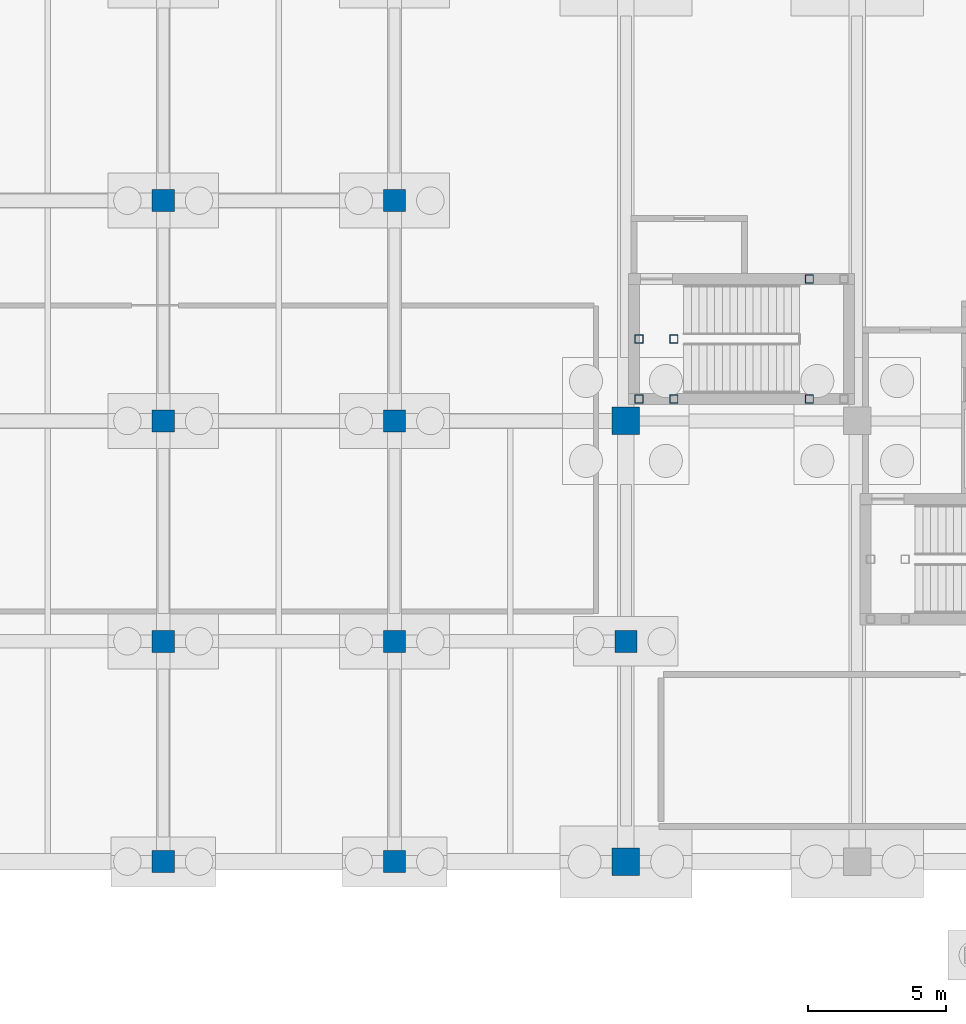
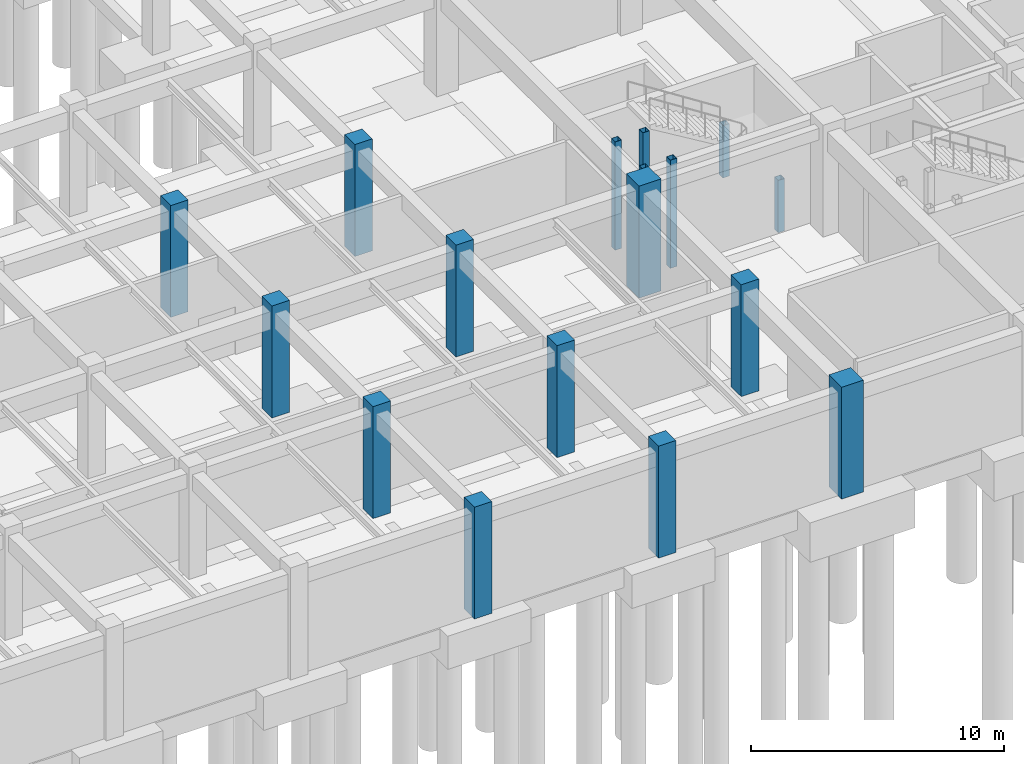
# One storey, part 16 of 56: 17 columns.
"""IFC4 building model written with IfcOpenShell, lengths in metres."""

from ifc_helpers import new_model, si_unit, direction, frame, origin, origin_2d, place, context, subcontext, project, spatial, rectangle, hollow_rectangle, extrude, material, material_profile, profile_set, type_object, element, save


model = new_model("IFC4")

# Units and contexts
model_context = context("Model", 3, precision=1e-05, world=origin(), true_north=direction((0.0, 1.0)))
body_context = subcontext(model_context, "Body", "Model", "MODEL_VIEW")
ifc_project = project(units=[si_unit("LENGTHUNIT", "METRE"), si_unit("AREAUNIT", "SQUARE_METRE"), si_unit("VOLUMEUNIT", "CUBIC_METRE"), si_unit("PLANEANGLEUNIT", "RADIAN"), si_unit("MASSUNIT", "GRAM", prefix="KILO")], contexts=[model_context])

# Site, building, storey
site_placement = place(None, origin())
site = spatial("IfcSite", under=ifc_project, at=site_placement, CompositionType="ELEMENT")
building_placement = place(site_placement, origin())
building = spatial("IfcBuilding", under=site, at=building_placement, Name="Naruveol Harbour Congress Hotel", CompositionType="ELEMENT")
storey_placement = place(building_placement, frame((0.0, 0.0, -5.39990234375)))
storey = spatial("IfcBuildingStorey", under=building, at=storey_placement, Name="B01", CompositionType="ELEMENT", Elevation=-5.39990234375)

# Columns
ifc_material_1 = material(Name="Concrete C50/60", Category="concrete")
ifc_material_profile_1 = material_profile(ifc_material_1, rectangle(XDim=0.800048828125, YDim=0.800048828125, at=origin_2d()), Name="RC-800x800")
ifc_profile_set_1 = profile_set([ifc_material_profile_1], Name="Concrete C50/60")
column_type_1 = type_object("IfcColumnType", Name="RC PODIUM COLUMN 800X800", PredefinedType="COLUMN", material=ifc_profile_set_1)
for number, where, z_axis, x_axis, name in (
    (1, (100.800048828125, 0.0, 0.0), (0.0, 0.0, 1.0), (1.0, 0.0, 0.0), "Column C-800 B01 (100.8,0.0)"),
    (2, (100.800048828125, 8.0, 0.0), (0.0, 0.0, 1.0), (1.0, 0.0, 0.0), "Column C-800 B01 (100.8,8.0)"),
    (3, (100.800048828125, 16.0, 0.0), (0.0, 0.0, 1.0), (1.0, 0.0, 0.0), "Column C-800 B01 (100.8,16.0)"),
    (4, (100.800048828125, 24.0, 0.0), (0.0, 0.0, 1.0), (1.0, 0.0, 0.0), "Column C-800 B01 (100.8,24.0)"),
    (5, (109.199951171875, 0.0, 0.0), (0.0, 0.0, 1.0), (1.0, 0.0, 0.0), "Column C-800 B01 (109.2,0.0)"),
    (6, (109.199951171875, 8.0, 0.0), (0.0, 0.0, 1.0), (1.0, 0.0, 0.0), "Column C-800 B01 (109.2,8.0)"),
    (7, (109.199951171875, 16.0, 0.0), (0.0, 0.0, 1.0), (1.0, 0.0, 0.0), "Column C-800 B01 (109.2,16.0)"),
    (8, (109.199951171875, 24.0, 0.0), (0.0, 0.0, 1.0), (1.0, 0.0, 0.0), "Column C-800 B01 (109.2,24.0)"),
    (9, (117.60009765625, 8.0, 0.0), (0.0, 0.0, 1.0), (1.0, 0.0, 0.0), "Column C-800 B01 (117.6,8.0)"),
):
    element("IfcColumn", number, at=place(storey_placement, frame(where, z_axis=z_axis, x_axis=x_axis)), inside=storey, type_object=column_type_1, Name=name, PredefinedType="COLUMN", context=body_context, shape_type="SweptSolid", body=[
        extrude(rectangle(XDim=0.800048828125, YDim=0.800048828125, at=origin_2d()), origin(), (0.0, 0.0, 1.0), 5.39990234375),
    ])
ifc_material_2 = material(Name="Concrete C50/60", Category="concrete")
ifc_material_profile_2 = material_profile(ifc_material_2, rectangle(XDim=1.0, YDim=1.0, at=origin_2d()), Name="RC-1000x1000")
ifc_profile_set_2 = profile_set([ifc_material_profile_2], Name="Concrete C50/60")
column_type_2 = type_object("IfcColumnType", Name="RC PRIMARY COLUMN 1000X1000", PredefinedType="COLUMN", material=ifc_profile_set_2)
for number, where, z_axis, x_axis, name in (
    (10, (117.60009765625, 0.0, 0.0), (0.0, 0.0, 1.0), (1.0, 0.0, 0.0), "Column C-1000 B01 (117.6,0.0)"),
    (11, (117.60009765625, 16.0, 0.0), (0.0, 0.0, 1.0), (1.0, 0.0, 0.0), "Column C-1000 B01 (117.6,16.0)"),
):
    element("IfcColumn", number, at=place(storey_placement, frame(where, z_axis=z_axis, x_axis=x_axis)), inside=storey, type_object=column_type_2, Name=name, PredefinedType="COLUMN", context=body_context, shape_type="SweptSolid", body=[
        extrude(rectangle(XDim=1.0, YDim=1.0, at=origin_2d()), origin(), (0.0, 0.0, 1.0), 5.39990234375),
    ])
ifc_material_3 = material(Name="Steel SN490", Category="steel")
ifc_material_profile_3 = material_profile(ifc_material_3, hollow_rectangle(XDim=0.300048828125, YDim=0.300048828125, WallThickness=0.011962890625, at=origin_2d()), Name="SHS-300x300x12")
ifc_profile_set_3 = profile_set([ifc_material_profile_3], Name="Steel SN490")
column_type_3 = type_object("IfcColumnType", Name="STEEL COLONNADE POST SHS300", PredefinedType="COLUMN", material=ifc_profile_set_3)
for number, where, z_axis, x_axis, name in (
    (12, (118.080078125, 16.800048828125, 0.0), (0.0, 0.0, 1.0), (1.0, 0.0, 0.0), "Stair landing support post ST3W #193"),
    (13, (118.080078125, 18.97998046875, 0.0), (0.0, 0.0, 1.0), (1.0, 0.0, 0.0), "Stair landing support post ST3W #203"),
    (14, (119.340087890625, 16.800048828125, 0.0), (0.0, 0.0, 1.0), (1.0, 0.0, 0.0), "Stair landing support post ST3W #213"),
    (15, (119.340087890625, 18.97998046875, 0.0), (0.0, 0.0, 1.0), (1.0, 0.0, 0.0), "Stair landing support post ST3W #223"),
):
    element("IfcColumn", number, at=place(storey_placement, frame(where, z_axis=z_axis, x_axis=x_axis)), inside=storey, type_object=column_type_3, Name=name, PredefinedType="COLUMN", context=body_context, shape_type="SweptSolid", body=[
        extrude(hollow_rectangle(XDim=0.300048828125, YDim=0.300048828125, WallThickness=0.011962890625, at=origin_2d()), origin(), (0.0, 0.0, 1.0), 5.219970703125),
    ])
for number, where, z_axis, x_axis, name in (
    (16, (124.260009765625, 16.800048828125, 0.0), (0.0, 0.0, 1.0), (1.0, 0.0, 0.0), "Stair landing support post ST3E #233"),
    (17, (124.260009765625, 21.159912109375, 0.0), (0.0, 0.0, 1.0), (1.0, 0.0, 0.0), "Stair landing support post ST3E #243"),
):
    element("IfcColumn", number, at=place(storey_placement, frame(where, z_axis=z_axis, x_axis=x_axis)), inside=storey, type_object=column_type_3, Name=name, PredefinedType="COLUMN", context=body_context, shape_type="SweptSolid", body=[
        extrude(hollow_rectangle(XDim=0.300048828125, YDim=0.300048828125, WallThickness=0.011962890625, at=origin_2d()), origin(), (0.0, 0.0, 1.0), 2.52001953125),
    ])

save(model, "model.ifc")
